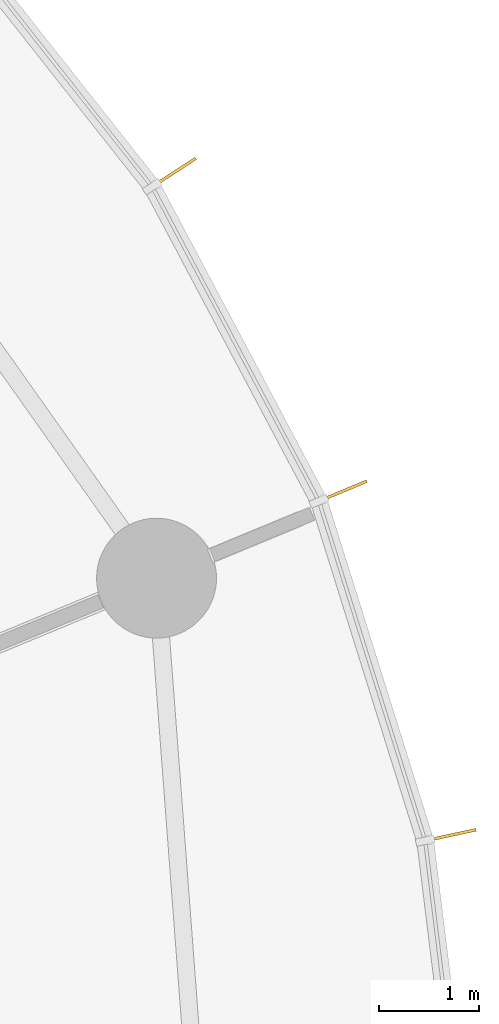
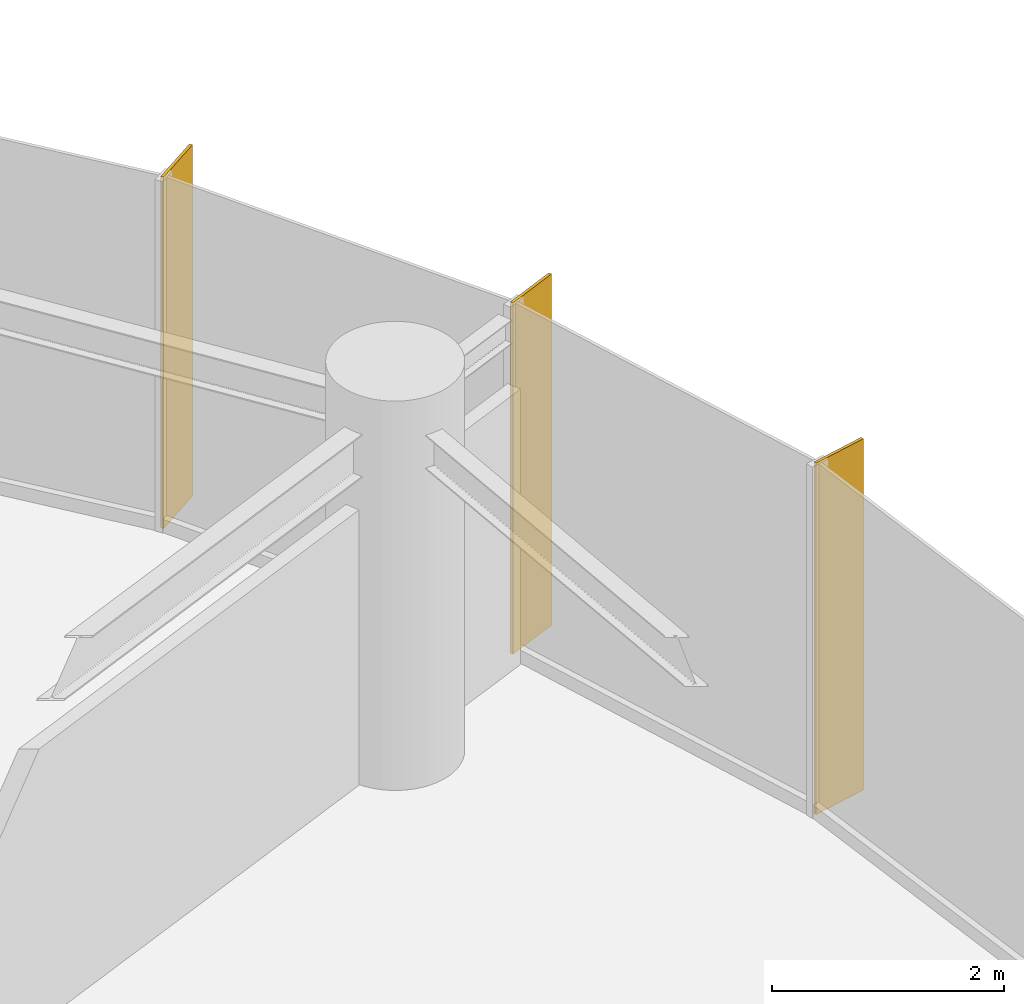
# One storey, part 17 of 17: 3 shading devices.
"""IFC4 building model written with IfcOpenShell, lengths in metres."""

from ifc_helpers import new_model, si_unit, direction, frame, origin, origin_2d, place, context, subcontext, project, spatial, rectangle, extrude, source, transform, mapped, material, material_profile, profile_set, type_object, element, save


model = new_model("IFC4")

# Units and contexts
model_context = context("Model", 3, precision=1e-05, world=origin(), true_north=direction((0.0, 1.0)))
body_context = subcontext(model_context, "Body", "Model", "MODEL_VIEW")
ifc_project = project(units=[si_unit("LENGTHUNIT", "METRE"), si_unit("AREAUNIT", "SQUARE_METRE"), si_unit("VOLUMEUNIT", "CUBIC_METRE"), si_unit("PLANEANGLEUNIT", "RADIAN"), si_unit("MASSUNIT", "GRAM", prefix="KILO")], contexts=[model_context])

# Site, building, storey
site_placement = place(None, origin())
site = spatial("IfcSite", under=ifc_project, at=site_placement, CompositionType="ELEMENT")
building_placement = place(site_placement, origin())
building = spatial("IfcBuilding", under=site, at=building_placement, Name="Spindrift Exchange Tower", CompositionType="ELEMENT")
storey_placement = place(building_placement, frame((0.0, 0.0, 88.0)))
storey = spatial("IfcBuildingStorey", under=building, at=storey_placement, Name="L20", CompositionType="ELEMENT", Elevation=88.0)

# Shading devices
ifc_material = material(Name="Bronze anodised aluminium", Category="aluminium")
ifc_material_profile = material_profile(ifc_material, rectangle(XDim=0.030029296875, YDim=0.550048828125, at=origin_2d()), Name="WIND FIN 30X550")
ifc_profile_set = profile_set([ifc_material_profile], Name="Bronze anodised aluminium")
shading_device_type = type_object("IfcShadingDeviceType", Name="WIND FIN 30X550", PredefinedType="USERDEFINED", material=ifc_profile_set)
shared_shape = source(origin(), body_context, "Body", "SweptSolid", [
    extrude(rectangle(XDim=0.030029296875, YDim=0.550048828125, at=origin_2d()), origin(), (0.0, 0.0, 1.0), 3.699951171875),
])
for number, where, z_axis, x_axis, name in (
    (1, (82.3076171875, 60.652099609375, 0.0), (0.0, 0.0, 1.0), (-0.385231293588, 0.92282005312, 0.0), "L20 wind fin 2"),
    (2, (80.617431640625, 63.839111328125, 0.0), (0.0, 0.0, 1.0), (-0.546313947297, 0.837580486275, 0.0), "L20 wind fin 3"),
    (3, (83.385009765625, 57.20947265625, 0.0), (0.0, 0.0, 1.0), (-0.211367444068, 0.977406672572, 0.0), "L20 wind fin 4"),
):
    element("IfcShadingDevice", number, at=place(storey_placement, frame(where, z_axis=z_axis, x_axis=x_axis)), inside=storey, type_object=shading_device_type, Name=name, ObjectType="FIN", PredefinedType="USERDEFINED", context=body_context, shape_type="MappedRepresentation", body=[
        mapped(shared_shape, transform((0.0, 0.0, 0.0), scale=1.0)),
    ])

save(model, "model.ifc")
